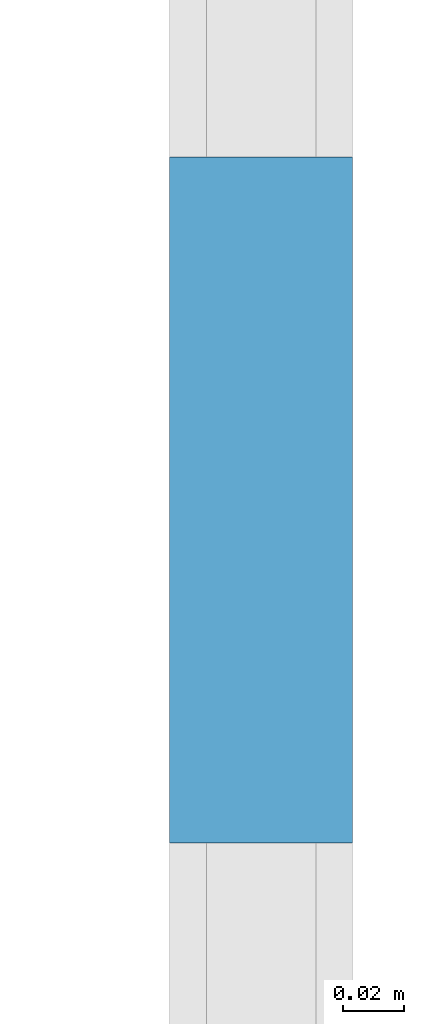
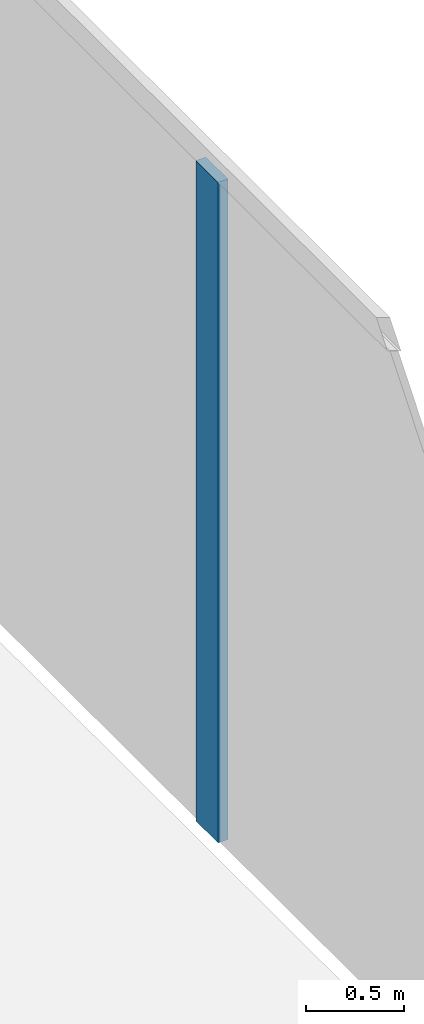
# One storey, part 19 of 43: 1 member, 1 element without a shape of its own.
"""IFC4 building model written with IfcOpenShell, lengths in metres."""

from ifc_helpers import new_model, si_unit, direction, frame, origin, origin_2d, place, context, subcontext, project, spatial, rectangle, extrude, material, layer, layer_set, material_profile, profile_set, type_object, element, aggregate, save


model = new_model("IFC4")

# Units and contexts
model_context = context("Model", 3, precision=1e-05, world=origin(), true_north=direction((0.0, 1.0)))
body_context = subcontext(model_context, "Body", "Model", "MODEL_VIEW")
ifc_project = project(units=[si_unit("LENGTHUNIT", "METRE"), si_unit("AREAUNIT", "SQUARE_METRE"), si_unit("VOLUMEUNIT", "CUBIC_METRE"), si_unit("PLANEANGLEUNIT", "RADIAN"), si_unit("MASSUNIT", "GRAM", prefix="KILO")], contexts=[model_context])

# Site, building, storey
site_placement = place(None, origin())
site = spatial("IfcSite", under=ifc_project, at=site_placement, CompositionType="ELEMENT")
building_placement = place(site_placement, origin())
building = spatial("IfcBuilding", under=site, at=building_placement, Name="Kheshtan School and Residences Tower", CompositionType="ELEMENT")
storey_placement = place(building_placement, frame((0.0, 0.0, 26.0)))
storey = spatial("IfcBuildingStorey", under=building, at=storey_placement, Name="L05", CompositionType="ELEMENT", Elevation=26.0)

# Curtain wall, member
ifc_material_1 = material(Name="Clear low-e glass in thermally broken aluminium frame", Category="aluminium")
ifc_layer = layer(ifc_material_1, 0.22509765625)
ifc_layer_set = layer_set([ifc_layer], Name="Curtain wall CW-P")
curtain_wall_type = type_object("IfcCurtainWallType", Name="Curtain wall CW-P", PredefinedType="NOTDEFINED", material=ifc_layer_set)
curtain_wall_placement = place(storey_placement, origin())
curtain_wall = element("IfcCurtainWall", 1, at=curtain_wall_placement, inside=storey, type_object=curtain_wall_type, Name="Curtain wall CWP8a", PredefinedType="NOTDEFINED")
ifc_material_2 = material(Name="Thermally broken aluminium, dark bronze anodised", Category="aluminium")
ifc_material_profile = material_profile(ifc_material_2, rectangle(XDim=0.06005859375, YDim=0.22509765625, at=origin_2d()), Name="CW-P mullion 60x225")
ifc_profile_set = profile_set([ifc_material_profile], Name="Thermally broken aluminium, dark bronze anodised")
member_type = type_object("IfcMemberType", Name="CW-P mullion 60x225", PredefinedType="MULLION", material=ifc_profile_set)
member_placement = place(storey_placement, frame((132.10009765625, 76.622314453125, 0.0), z_axis=(0.0, 0.0, 1.0), x_axis=(1.0, 0.0, 0.0)))
member = element("IfcMember", 2, at=member_placement, type_object=member_type, Name="CWP8a mullion 6", PredefinedType="MULLION", context=body_context, shape_type="SweptSolid", body=[
    extrude(rectangle(XDim=0.06005859375, YDim=0.22509765625, at=origin_2d()), origin(), (0.0, 0.0, 1.0), 4.110107421875),
])
aggregate(curtain_wall, [member])

save(model, "model.ifc")
